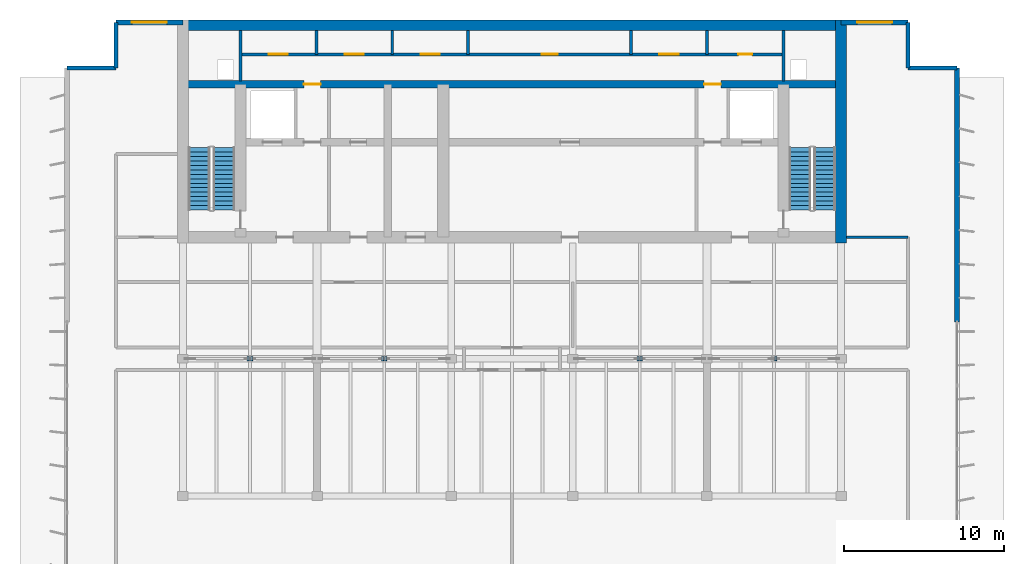
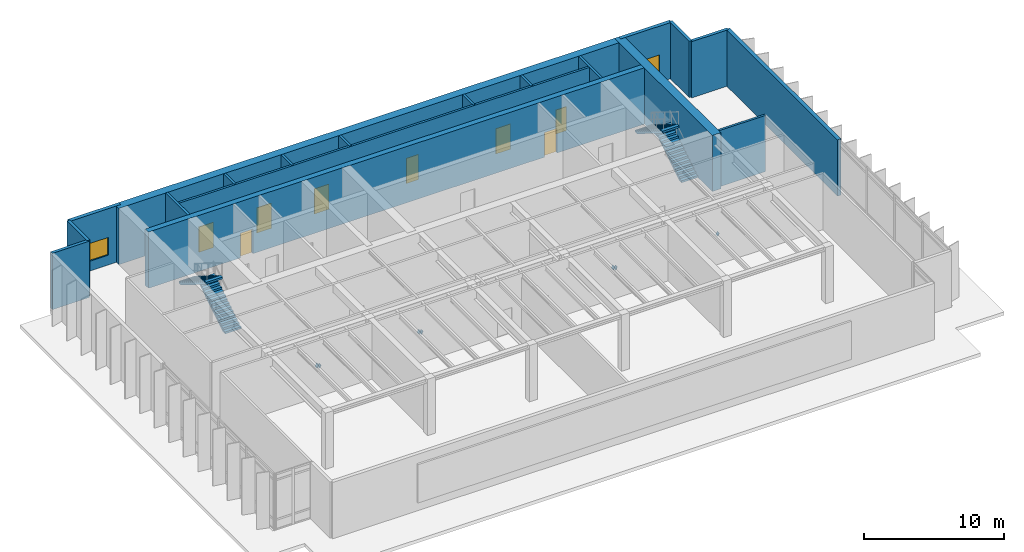
# One storey, part 7 of 12: 19 walls, 8 doors, 7 discrete accessories, 4 stair flights, 2 windows, 10 openings, 2 elements without a shape of their own.
"""IFC4 building model written with IfcOpenShell, lengths in metres."""

from ifc_helpers import new_model, si_unit, direction, frame, frame_2d, origin, place, context, subcontext, project, spatial, polyline, rectangle, outline, extrude, material, layer, layer_set, type_object, element, fill, aggregate, save


model = new_model("IFC4")

# Units and contexts
model_context = context("Model", 3, precision=1e-05, world=origin(), true_north=direction((0.0, 1.0)))
body_context = subcontext(model_context, "Body", "Model", "MODEL_VIEW")
ifc_project = project(units=[si_unit("LENGTHUNIT", "METRE"), si_unit("AREAUNIT", "SQUARE_METRE"), si_unit("VOLUMEUNIT", "CUBIC_METRE"), si_unit("PLANEANGLEUNIT", "RADIAN"), si_unit("MASSUNIT", "GRAM", prefix="KILO")], contexts=[model_context])

# Site, building, storey
site_placement = place(None, origin())
site = spatial("IfcSite", under=ifc_project, at=site_placement, CompositionType="ELEMENT")
building_placement = place(site_placement, origin())
building = spatial("IfcBuilding", under=site, at=building_placement, Name="Caelmar Bay Residences", CompositionType="ELEMENT")
storey_placement = place(building_placement, frame((0.0, 0.0, 274.199951171875)))
storey = spatial("IfcBuildingStorey", under=building, at=storey_placement, Name="L77", CompositionType="ELEMENT", Elevation=274.199951171875)

# Walls
ifc_material_1 = material(Name="Concrete f'c 55 MPa (8,000 psi)", Category="concrete")
ifc_layer_1 = layer(ifc_material_1, 0.699951171875)
ifc_layer_set_1 = layer_set([ifc_layer_1], Name="Concrete f'c 55 MPa (8,000 psi)")
wall_type_1 = type_object("IfcWallType", Name="SW-COR-700", PredefinedType="SHEAR", material=ifc_layer_set_1)
wall_1_placement = place(storey_placement, frame((59.5, 36.64990234375, 0.0), z_axis=(0.0, 0.0, 1.0), x_axis=(0.0, 1.0, 0.0)))
element("IfcWall", 1, at=wall_1_placement, inside=storey, type_object=wall_type_1, Name="L77 Rear Core East Shear Wall", PredefinedType="SHEAR", context=body_context, shape_type="SweptSolid", body=[
    extrude(rectangle(XDim=13.9501953125, YDim=0.699951171875, at=frame_2d((6.97509765625, 0.0))), origin(), (0.0, 0.0, 1.0), 4.900146484375),
])
ifc_layer_2 = layer(ifc_material_1, 0.64990234375)
ifc_layer_set_2 = layer_set([ifc_layer_2], Name="Concrete f'c 55 MPa (8,000 psi)")
wall_type_2 = type_object("IfcWallType", Name="SW-CORN-650", PredefinedType="SHEAR", material=ifc_layer_set_2)
wall_2_placement = place(storey_placement, frame((17.949951171875, 50.27490234375, 0.0), z_axis=(0.0, 0.0, 1.0), x_axis=(1.0, 0.0, 0.0)))
element("IfcWall", 2, at=wall_2_placement, inside=storey, type_object=wall_type_2, Name="L77 Rear Core North Shear Wall", PredefinedType="SHEAR", context=body_context, shape_type="SweptSolid", body=[
    extrude(rectangle(XDim=41.900146484375, YDim=0.64990234375, at=frame_2d((20.9501953125, 0.0))), origin(), (0.0, 0.0, 1.0), 4.900146484375),
])

# Wall, openings, doors
ifc_material_2 = material(Name="Concrete f'c 70 MPa (10,000 psi)", Category="concrete")
ifc_layer_3 = layer(ifc_material_2, 0.449951171875)
ifc_layer_set_3 = layer_set([ifc_layer_3], Name="Concrete f'c 70 MPa (10,000 psi)")
wall_type_3 = type_object("IfcWallType", Name="SW-WEB-450", PredefinedType="SHEAR", material=ifc_layer_set_3)
wall_3_placement = place(storey_placement, frame((18.300048828125, 46.574951171875, 0.0), z_axis=(0.0, 0.0, 1.0), x_axis=(1.0, 0.0, 0.0)))
wall_3 = element("IfcWall", 3, at=wall_3_placement, inside=storey, type_object=wall_type_3, Name="L77 Core Structural Web Wall SRVS", PredefinedType="SHEAR", context=body_context, shape_type="SweptSolid", body=[
    extrude(rectangle(XDim=41.199951171875, YDim=0.449951171875, at=frame_2d((20.60009765625, 0.0))), origin(), (0.0, 0.0, 1.0), 4.900146484375),
])
opening_1_placement = place(wall_3_placement, frame((7.574951171875, 0.0, 0.0)))
opening_1 = element("IfcOpeningElement", 4, at=opening_1_placement, cuts=wall_3, Name="Opening D-L77-114", PredefinedType="OPENING", context=body_context, shape_type="SweptSolid", body=[
    extrude(rectangle(XDim=1.050048828125, YDim=2.14990234375, at=frame_2d((0.52490234375, 1.074951171875))), frame((0.0, 0.23486328125, 0.0), z_axis=(0.0, -1.0, 0.0), x_axis=(1.0, 0.0, 0.0)), (0.0, 0.0, 1.0), 0.469970703125),
])
opening_2_placement = place(wall_3_placement, frame((32.625, 0.0, 0.0)))
opening_2 = element("IfcOpeningElement", 5, at=opening_2_placement, cuts=wall_3, Name="Opening D-L77-115", PredefinedType="OPENING", context=body_context, shape_type="SweptSolid", body=[
    extrude(rectangle(XDim=1.050048828125, YDim=2.14990234375, at=frame_2d((0.52490234375, 1.074951171875))), frame((0.0, 0.23486328125, 0.0), z_axis=(0.0, -1.0, 0.0), x_axis=(1.0, 0.0, 0.0)), (0.0, 0.0, 1.0), 0.469970703125),
])
ifc_material_3 = material(Name="Fire-rated steel and walnut architectural door assembly", Category="steel")
ifc_layer_4 = layer(ifc_material_3, 0.050048828125)
ifc_layer_set_4 = layer_set([ifc_layer_4], Name="Fire-rated steel and walnut architectural door assembly")
door_type_1 = type_object("IfcDoorType", Name="D-FSAE-1050", OperationType="NOTDEFINED", PredefinedType="DOOR", material=ifc_layer_set_4)
door_1_placement = place(opening_1_placement, origin())
door_1 = element("IfcDoor", 6, at=door_1_placement, inside=storey, type_object=door_type_1, Name="L77 Core Service Corridor Door", OperationType="SINGLE_SWING_LEFT", OverallHeight=2.14990234375, OverallWidth=1.050048828125, PredefinedType="DOOR", context=body_context, shape_type="SweptSolid", body=[
    extrude(rectangle(XDim=1.050048828125, YDim=2.14990234375, at=frame_2d((0.52490234375, 1.074951171875))), frame((0.0, 0.02490234375, 0.0), z_axis=(0.0, -1.0, 0.0), x_axis=(1.0, 0.0, 0.0)), (0.0, 0.0, 1.0), 0.050048828125),
])
fill(opening_1, door_1)
door_2_placement = place(opening_2_placement, origin())
door_2 = element("IfcDoor", 7, at=door_2_placement, inside=storey, type_object=door_type_1, Name="L77 Core Service Corridor Door", OperationType="SINGLE_SWING_RIGHT", OverallHeight=2.14990234375, OverallWidth=1.050048828125, PredefinedType="DOOR", context=body_context, shape_type="SweptSolid", body=[
    extrude(rectangle(XDim=1.050048828125, YDim=2.14990234375, at=frame_2d((0.52490234375, 1.074951171875))), frame((0.0, 0.02490234375, 0.0), z_axis=(0.0, -1.0, 0.0), x_axis=(1.0, 0.0, 0.0)), (0.0, 0.0, 1.0), 0.050048828125),
])
fill(opening_2, door_2)

# Walls
ifc_material_4 = material(Name="Double-stud acoustic fire-rated gypsum partition 180 mm")
ifc_layer_5 = layer(ifc_material_4, 0.179931640625)
ifc_layer_set_5 = layer_set([ifc_layer_5], Name="Double-stud acoustic fire-rated gypsum partition 180 mm")
wall_type_4 = type_object("IfcWallType", Name="W-COR-200", PredefinedType="PARTITIONING", material=ifc_layer_set_5)
for number, where, z_axis, x_axis, name in (
    (8, (26.64990234375, 48.449951171875, 0.0), (0.0, 0.0, 1.0), (0.0, 1.0, 0.0), "L77 Partition Wall V005"),
    (9, (31.39990234375, 48.449951171875, 0.0), (0.0, 0.0, 1.0), (0.0, 1.0, 0.0), "L77 Partition Wall V008"),
    (10, (36.14990234375, 48.449951171875, 0.0), (0.0, 0.0, 1.0), (0.0, 1.0, 0.0), "L77 Partition Wall V010"),
    (11, (46.35009765625, 48.449951171875, 0.0), (0.0, 0.0, 1.0), (0.0, 1.0, 0.0), "L77 Partition Wall V014"),
    (12, (51.10009765625, 48.449951171875, 0.0), (0.0, 0.0, 1.0), (0.0, 1.0, 0.0), "L77 Partition Wall V017"),
):
    element("IfcWall", number, at=place(storey_placement, frame(where, z_axis=z_axis, x_axis=x_axis)), inside=storey, type_object=wall_type_4, Name=name, PredefinedType="PARTITIONING", context=body_context, shape_type="SweptSolid", body=[
        extrude(rectangle(XDim=1.505126953125, YDim=0.179931640625, at=frame_2d((0.75244140625, 0.0))), origin(), (0.0, 0.0, 1.0), 4.900146484375),
    ])
wall_4_placement = place(storey_placement, frame((59.85498046875, 37.0, 0.0), z_axis=(0.0, 0.0, 1.0), x_axis=(1.0, 0.0, 0.0)))
element("IfcWall", 13, at=wall_4_placement, inside=storey, type_object=wall_type_4, Name="L77 Partition Wall H028", PredefinedType="PARTITIONING", context=body_context, shape_type="SweptSolid", body=[
    extrude(rectangle(XDim=3.844970703125, YDim=0.179931640625, at=frame_2d((1.92236328125, 0.0))), origin(), (0.0, 0.0, 1.0), 4.900146484375),
])

# Wall, openings, doors
wall_5_placement = place(storey_placement, frame((21.89990234375, 48.449951171875, 0.0), z_axis=(0.0, 0.0, 1.0), x_axis=(1.0, 0.0, 0.0)))
wall_5 = element("IfcWall", 14, at=wall_5_placement, inside=storey, type_object=wall_type_4, Name="L77 Partition Wall H030", PredefinedType="PARTITIONING", context=body_context, shape_type="SweptSolid", body=[
    extrude(rectangle(XDim=34.0, YDim=0.179931640625, at=frame_2d((17.0, 0.0))), origin(), (0.0, 0.0, 1.0), 4.900146484375),
])
opening_3_placement = place(wall_5_placement, frame((1.77490234375, 0.0, 0.0)))
opening_3 = element("IfcOpeningElement", 15, at=opening_3_placement, cuts=wall_5, Name="Opening D-L77-116", PredefinedType="OPENING", context=body_context, shape_type="SweptSolid", body=[
    extrude(rectangle(XDim=1.199951171875, YDim=2.199951171875, at=frame_2d((0.60009765625, 1.10009765625))), frame((0.0, 0.099853515625, 0.0), z_axis=(0.0, -1.0, 0.0), x_axis=(1.0, 0.0, 0.0)), (0.0, 0.0, 1.0), 0.199951171875),
])
opening_4_placement = place(wall_5_placement, frame((6.52490234375, 0.0, 0.0)))
opening_4 = element("IfcOpeningElement", 16, at=opening_4_placement, cuts=wall_5, Name="Opening D-L77-117", PredefinedType="OPENING", context=body_context, shape_type="SweptSolid", body=[
    extrude(rectangle(XDim=1.199951171875, YDim=2.199951171875, at=frame_2d((0.60009765625, 1.10009765625))), frame((0.0, 0.099853515625, 0.0), z_axis=(0.0, -1.0, 0.0), x_axis=(1.0, 0.0, 0.0)), (0.0, 0.0, 1.0), 0.199951171875),
])
opening_5_placement = place(wall_5_placement, frame((11.27490234375, 0.0, 0.0)))
opening_5 = element("IfcOpeningElement", 17, at=opening_5_placement, cuts=wall_5, Name="Opening D-L77-118", PredefinedType="OPENING", context=body_context, shape_type="SweptSolid", body=[
    extrude(rectangle(XDim=1.199951171875, YDim=2.199951171875, at=frame_2d((0.60009765625, 1.10009765625))), frame((0.0, 0.099853515625, 0.0), z_axis=(0.0, -1.0, 0.0), x_axis=(1.0, 0.0, 0.0)), (0.0, 0.0, 1.0), 0.199951171875),
])
opening_6_placement = place(wall_5_placement, frame((18.85009765625, 0.0, 0.0)))
opening_6 = element("IfcOpeningElement", 18, at=opening_6_placement, cuts=wall_5, Name="Opening D-L77-119", PredefinedType="OPENING", context=body_context, shape_type="SweptSolid", body=[
    extrude(rectangle(XDim=1.0, YDim=2.199951171875, at=frame_2d((0.5, 1.10009765625))), frame((0.0, 0.099853515625, 0.0), z_axis=(0.0, -1.0, 0.0), x_axis=(1.0, 0.0, 0.0)), (0.0, 0.0, 1.0), 0.199951171875),
])
opening_7_placement = place(wall_5_placement, frame((26.22509765625, 0.0, 0.0)))
opening_7 = element("IfcOpeningElement", 19, at=opening_7_placement, cuts=wall_5, Name="Opening D-L77-120", PredefinedType="OPENING", context=body_context, shape_type="SweptSolid", body=[
    extrude(rectangle(XDim=1.199951171875, YDim=2.199951171875, at=frame_2d((0.60009765625, 1.10009765625))), frame((0.0, 0.099853515625, 0.0), z_axis=(0.0, -1.0, 0.0), x_axis=(1.0, 0.0, 0.0)), (0.0, 0.0, 1.0), 0.199951171875),
])
opening_8_placement = place(wall_5_placement, frame((31.175048828125, 0.0, 0.0)))
opening_8 = element("IfcOpeningElement", 20, at=opening_8_placement, cuts=wall_5, Name="Opening D-L77-121", PredefinedType="OPENING", context=body_context, shape_type="SweptSolid", body=[
    extrude(rectangle(XDim=0.85009765625, YDim=2.10009765625, at=frame_2d((0.425048828125, 1.050048828125))), frame((0.0, 0.099853515625, 0.0), z_axis=(0.0, -1.0, 0.0), x_axis=(1.0, 0.0, 0.0)), (0.0, 0.0, 1.0), 0.199951171875),
])
ifc_layer_6 = layer(ifc_material_3, 0.050048828125)
ifc_layer_set_6 = layer_set([ifc_layer_6], Name="Fire-rated steel and walnut architectural door assembly")
door_type_2 = type_object("IfcDoorType", Name="D-CORE-850", OperationType="NOTDEFINED", PredefinedType="DOOR", material=ifc_layer_set_6)
door_3_placement = place(opening_8_placement, origin())
door_3 = element("IfcDoor", 21, at=door_3_placement, inside=storey, type_object=door_type_2, Name="L77 Staff Restroom Door", OperationType="SINGLE_SWING_RIGHT", OverallHeight=2.10009765625, OverallWidth=0.85009765625, PredefinedType="DOOR", context=body_context, shape_type="SweptSolid", body=[
    extrude(rectangle(XDim=0.85009765625, YDim=2.10009765625, at=frame_2d((0.425048828125, 1.050048828125))), frame((0.0, 0.02490234375, 0.0), z_axis=(0.0, -1.0, 0.0), x_axis=(1.0, 0.0, 0.0)), (0.0, 0.0, 1.0), 0.050048828125),
])
fill(opening_8, door_3)
ifc_layer_7 = layer(ifc_material_3, 0.050048828125)
ifc_layer_set_7 = layer_set([ifc_layer_7], Name="Fire-rated steel and walnut architectural door assembly")
door_type_3 = type_object("IfcDoorType", Name="D-PLANT-1200", OperationType="NOTDEFINED", PredefinedType="DOOR", material=ifc_layer_set_7)
door_4_placement = place(opening_3_placement, origin())
door_4 = element("IfcDoor", 22, at=door_4_placement, inside=storey, type_object=door_type_3, Name="L77 Branch Panel Closet Door", OperationType="SINGLE_SWING_LEFT", OverallHeight=2.199951171875, OverallWidth=1.199951171875, PredefinedType="DOOR", context=body_context, shape_type="SweptSolid", body=[
    extrude(rectangle(XDim=1.199951171875, YDim=2.199951171875, at=frame_2d((0.60009765625, 1.10009765625))), frame((0.0, 0.02490234375, 0.0), z_axis=(0.0, -1.0, 0.0), x_axis=(1.0, 0.0, 0.0)), (0.0, 0.0, 1.0), 0.050048828125),
])
fill(opening_3, door_4)
door_5_placement = place(opening_4_placement, origin())
door_5 = element("IfcDoor", 23, at=door_5_placement, inside=storey, type_object=door_type_3, Name="L77 Water Meter Closet Door", OperationType="SINGLE_SWING_RIGHT", OverallHeight=2.199951171875, OverallWidth=1.199951171875, PredefinedType="DOOR", context=body_context, shape_type="SweptSolid", body=[
    extrude(rectangle(XDim=1.199951171875, YDim=2.199951171875, at=frame_2d((0.60009765625, 1.10009765625))), frame((0.0, 0.02490234375, 0.0), z_axis=(0.0, -1.0, 0.0), x_axis=(1.0, 0.0, 0.0)), (0.0, 0.0, 1.0), 0.050048828125),
])
fill(opening_4, door_5)
door_6_placement = place(opening_5_placement, origin())
door_6 = element("IfcDoor", 24, at=door_6_placement, inside=storey, type_object=door_type_3, Name="L77 Low-Voltage Data Closet Door", OperationType="SINGLE_SWING_LEFT", OverallHeight=2.199951171875, OverallWidth=1.199951171875, PredefinedType="DOOR", context=body_context, shape_type="SweptSolid", body=[
    extrude(rectangle(XDim=1.199951171875, YDim=2.199951171875, at=frame_2d((0.60009765625, 1.10009765625))), frame((0.0, 0.02490234375, 0.0), z_axis=(0.0, -1.0, 0.0), x_axis=(1.0, 0.0, 0.0)), (0.0, 0.0, 1.0), 0.050048828125),
])
fill(opening_5, door_6)
door_7_placement = place(opening_7_placement, origin())
door_7 = element("IfcDoor", 25, at=door_7_placement, inside=storey, type_object=door_type_3, Name="L77 Valet Trunk Closet Door", OperationType="SINGLE_SWING_LEFT", OverallHeight=2.199951171875, OverallWidth=1.199951171875, PredefinedType="DOOR", context=body_context, shape_type="SweptSolid", body=[
    extrude(rectangle(XDim=1.199951171875, YDim=2.199951171875, at=frame_2d((0.60009765625, 1.10009765625))), frame((0.0, 0.02490234375, 0.0), z_axis=(0.0, -1.0, 0.0), x_axis=(1.0, 0.0, 0.0)), (0.0, 0.0, 1.0), 0.050048828125),
])
fill(opening_7, door_7)
ifc_layer_8 = layer(ifc_material_3, 0.050048828125)
ifc_layer_set_8 = layer_set([ifc_layer_8], Name="Fire-rated steel and walnut architectural door assembly")
door_type_4 = type_object("IfcDoorType", Name="D-UNIT-1000", OperationType="NOTDEFINED", PredefinedType="DOOR", material=ifc_layer_set_8)
door_8_placement = place(opening_6_placement, origin())
door_8 = element("IfcDoor", 26, at=door_8_placement, inside=storey, type_object=door_type_4, Name="L77 Mail Sorting Office Door", OperationType="SINGLE_SWING_RIGHT", OverallHeight=2.199951171875, OverallWidth=1.0, PredefinedType="DOOR", context=body_context, shape_type="SweptSolid", body=[
    extrude(rectangle(XDim=1.0, YDim=2.199951171875, at=frame_2d((0.5, 1.10009765625))), frame((0.0, 0.02490234375, 0.0), z_axis=(0.0, -1.0, 0.0), x_axis=(1.0, 0.0, 0.0)), (0.0, 0.0, 1.0), 0.050048828125),
])
fill(opening_6, door_8)

# Walls
ifc_material_5 = material(Name="Precast concrete f'c 40 MPa (6,000 psi)", Category="concrete")
ifc_layer_9 = layer(ifc_material_5, 0.25)
ifc_layer_set_9 = layer_set([ifc_layer_9], Name="Precast concrete f'c 40 MPa (6,000 psi)")
wall_type_5 = type_object("IfcWallType", Name="W-EXT-250", PredefinedType="ELEMENTEDWALL", material=ifc_layer_set_9)
wall_6_placement = place(storey_placement, frame((11.050048828125, 47.60009765625, 0.0), z_axis=(0.0, 0.0, 1.0), x_axis=(1.0, 0.0, 0.0)))
element("IfcWall", 27, at=wall_6_placement, inside=storey, type_object=wall_type_5, Name="L77 NNW-H Notch Wall", PredefinedType="ELEMENTEDWALL", context=body_context, shape_type="SweptSolid", body=[
    extrude(rectangle(XDim=3.050048828125, YDim=0.25, at=frame_2d((1.52490234375, 0.0))), origin(), (0.0, 0.0, 1.0), 4.900146484375),
])
for number, where, z_axis, x_axis, name in (
    (28, (14.10009765625, 47.60009765625, 0.0), (0.0, 0.0, 1.0), (0.0, 1.0, 0.0), "L77 NNW-V Notch Wall"),
    (29, (63.699951171875, 50.449951171875, 0.0), (0.0, 0.0, 1.0), (0.0, -1.0, 0.0), "L77 NNE-V Notch Wall"),
):
    element("IfcWall", number, at=place(storey_placement, frame(where, z_axis=z_axis, x_axis=x_axis)), inside=storey, type_object=wall_type_5, Name=name, PredefinedType="ELEMENTEDWALL", context=body_context, shape_type="SweptSolid", body=[
        extrude(rectangle(XDim=2.849853515625, YDim=0.25, at=frame_2d((1.4248046875, 0.0))), origin(), (0.0, 0.0, 1.0), 4.900146484375),
    ])
wall_7_placement = place(storey_placement, frame((63.699951171875, 47.60009765625, 0.0), z_axis=(0.0, 0.0, 1.0), x_axis=(1.0, 0.0, 0.0)))
element("IfcWall", 30, at=wall_7_placement, inside=storey, type_object=wall_type_5, Name="L77 NNE-H Notch Wall", PredefinedType="ELEMENTEDWALL", context=body_context, shape_type="SweptSolid", body=[
    extrude(rectangle(XDim=3.050048828125, YDim=0.25, at=frame_2d((1.52490234375, 0.0))), origin(), (0.0, 0.0, 1.0), 4.900146484375),
])
ifc_layer_10 = layer(ifc_material_5, 0.300048828125)
ifc_layer_set_10 = layer_set([ifc_layer_10], Name="Precast concrete f'c 40 MPa (6,000 psi)")
wall_type_6 = type_object("IfcWallType", Name="W-EXT-300", PredefinedType="STANDARD", material=ifc_layer_set_10)
wall_8_placement = place(storey_placement, frame((66.75, 47.60009765625, 0.0), z_axis=(0.0, 0.0, 1.0), x_axis=(0.0, -1.0, 0.0)))
element("IfcWall", 31, at=wall_8_placement, inside=storey, type_object=wall_type_6, Name="L77 East Rear Exterior Wall", PredefinedType="STANDARD", context=body_context, shape_type="SweptSolid", body=[
    extrude(rectangle(XDim=15.900146484375, YDim=0.300048828125, at=frame_2d((7.9501953125, 0.0))), origin(), (0.0, 0.0, 1.0), 4.900146484375),
])

# Wall, opening, window
wall_9_placement = place(storey_placement, frame((14.10009765625, 50.449951171875, 0.0), z_axis=(0.0, 0.0, 1.0), x_axis=(1.0, 0.0, 0.0)))
wall_9 = element("IfcWall", 32, at=wall_9_placement, inside=storey, type_object=wall_type_6, Name="L77 North-West Wing Exterior Wall", PredefinedType="STANDARD", context=body_context, shape_type="SweptSolid", body=[
    extrude(rectangle(XDim=4.199951171875, YDim=0.300048828125, at=frame_2d((2.10009765625, 0.0))), origin(), (0.0, 0.0, 1.0), 4.900146484375),
])
opening_9_placement = place(wall_9_placement, frame((1.0, 0.0, 0.85009765625)))
opening_9 = element("IfcOpeningElement", 33, at=opening_9_placement, cuts=wall_9, Name="Opening WN2", PredefinedType="OPENING", context=body_context, shape_type="SweptSolid", body=[
    extrude(rectangle(XDim=2.199951171875, YDim=1.550048828125, at=frame_2d((1.10009765625, 0.77490234375))), frame((0.0, 0.159912109375, 0.0), z_axis=(0.0, -1.0, 0.0), x_axis=(1.0, 0.0, 0.0)), (0.0, 0.0, 1.0), 0.320068359375),
])
ifc_material_6 = material(Name="Bronze aluminium frame with laminated low-E glass", Category="aluminium")
ifc_layer_11 = layer(ifc_material_6, 0.06005859375)
ifc_layer_set_11 = layer_set([ifc_layer_11], Name="Bronze aluminium frame with laminated low-E glass")
window_type = type_object("IfcWindowType", Name="WIN-BR-2200", PartitioningType="SINGLE_PANEL", PredefinedType="WINDOW", material=ifc_layer_set_11)
window_1_placement = place(opening_9_placement, origin())
window_1 = element("IfcWindow", 34, at=window_1_placement, inside=storey, type_object=window_type, Name="L77 North-West Studio Window", OverallHeight=1.550048828125, OverallWidth=2.199951171875, PartitioningType="SINGLE_PANEL", PredefinedType="WINDOW", context=body_context, shape_type="SweptSolid", body=[
    extrude(rectangle(XDim=2.199951171875, YDim=1.550048828125, at=frame_2d((1.10009765625, 0.77490234375))), frame((0.0, 0.030029296875, 0.0), z_axis=(0.0, -1.0, 0.0), x_axis=(1.0, 0.0, 0.0)), (0.0, 0.0, 1.0), 0.06005859375),
])
fill(opening_9, window_1)

wall_10_placement = place(storey_placement, frame((59.5, 50.449951171875, 0.0), z_axis=(0.0, 0.0, 1.0), x_axis=(1.0, 0.0, 0.0)))
wall_10 = element("IfcWall", 35, at=wall_10_placement, inside=storey, type_object=wall_type_6, Name="L77 North-East Wing Exterior Wall", PredefinedType="STANDARD", context=body_context, shape_type="SweptSolid", body=[
    extrude(rectangle(XDim=4.199951171875, YDim=0.300048828125, at=frame_2d((2.10009765625, 0.0))), origin(), (0.0, 0.0, 1.0), 4.900146484375),
])
opening_10_placement = place(wall_10_placement, frame((1.0, 0.0, 0.85009765625)))
opening_10 = element("IfcOpeningElement", 36, at=opening_10_placement, cuts=wall_10, Name="Opening WN2", PredefinedType="OPENING", context=body_context, shape_type="SweptSolid", body=[
    extrude(rectangle(XDim=2.199951171875, YDim=1.550048828125, at=frame_2d((1.10009765625, 0.77490234375))), frame((0.0, 0.159912109375, 0.0), z_axis=(0.0, -1.0, 0.0), x_axis=(1.0, 0.0, 0.0)), (0.0, 0.0, 1.0), 0.320068359375),
])
window_2_placement = place(opening_10_placement, origin())
window_2 = element("IfcWindow", 37, at=window_2_placement, inside=storey, type_object=window_type, Name="L77 North-East Studio Window", OverallHeight=1.550048828125, OverallWidth=2.199951171875, PartitioningType="SINGLE_PANEL", PredefinedType="WINDOW", context=body_context, shape_type="SweptSolid", body=[
    extrude(rectangle(XDim=2.199951171875, YDim=1.550048828125, at=frame_2d((1.10009765625, 0.77490234375))), frame((0.0, 0.030029296875, 0.0), z_axis=(0.0, -1.0, 0.0), x_axis=(1.0, 0.0, 0.0)), (0.0, 0.0, 1.0), 0.06005859375),
])
fill(opening_10, window_2)

# Walls
ifc_material_7 = material(Name="Fire-rated masonry and gypsum shaftliner assembly 200 mm", Category="masonry")
ifc_layer_12 = layer(ifc_material_7, 0.199951171875)
ifc_layer_set_12 = layer_set([ifc_layer_12], Name="Fire-rated masonry and gypsum shaftliner assembly 200 mm")
wall_type_7 = type_object("IfcWallType", Name="W-FSAE-200", PredefinedType="PARTITIONING", material=ifc_layer_set_12)
for number, where, z_axis, x_axis, name in (
    (38, (21.89990234375, 46.794921875, 0.0), (0.0, 0.0, 1.0), (0.0, 1.0, 0.0), "L77 Partition Wall V003"),
    (39, (55.89990234375, 46.794921875, 0.0), (0.0, 0.0, 1.0), (0.0, 1.0, 0.0), "L77 Partition Wall V019"),
):
    element("IfcWall", number, at=place(storey_placement, frame(where, z_axis=z_axis, x_axis=x_axis)), inside=storey, type_object=wall_type_7, Name=name, PredefinedType="PARTITIONING", context=body_context, shape_type="SweptSolid", body=[
        extrude(rectangle(XDim=3.16015625, YDim=0.199951171875, at=frame_2d((1.580078125, 0.0))), origin(), (0.0, 0.0, 1.0), 4.900146484375),
    ])

# Stair, stair flights
ifc_material_8 = material(Name="Concrete f'c 40 MPa (6,000 psi)", Category="concrete")
stair_type = type_object("IfcStairType", Name="ST-TAL-170", PredefinedType="HALF_TURN_STAIR", material=ifc_material_8)
stair_1_placement = place(storey_placement, origin())
stair_1 = element("IfcStair", 40, at=stair_1_placement, inside=storey, type_object=stair_type, Name="L77 West Smokeproof Exit Stair ST1", PredefinedType="HALF_TURN_STAIR")
stair_flight_type = type_object("IfcStairFlightType", Name="STF-1400", PredefinedType="STRAIGHT", material=ifc_material_5)
stair_flight_1_placement = place(storey_placement, frame((20.875, 38.699951171875, 0.0), z_axis=(0.0, 0.0, 1.0), x_axis=(0.0, 1.0, 0.0)))
stair_flight_1 = element("IfcStairFlight", 41, at=stair_flight_1_placement, type_object=stair_flight_type, Name="ST1 flight 1", NumberOfRisers=15, NumberOfTreads=14, PredefinedType="STRAIGHT", RiserHeight=0.173333333, TreadLength=0.28, context=body_context, shape_type="SweptSolid", body=[
    extrude(outline(polyline([(0.0, 0.0), (0.0, 0.17333984375), (0.280029296875, 0.17333984375), (0.280029296875, 0.3466796875), (0.56005859375, 0.3466796875), (0.56005859375, 0.52001953125), (0.840087890625, 0.52001953125), (0.840087890625, 0.693359375), (1.1201171875, 0.693359375), (1.1201171875, 0.86669921875), (1.39990234375, 0.86669921875), (1.39990234375, 1.0400390625), (1.679931640625, 1.0400390625), (1.679931640625, 1.21337890625), (1.9599609375, 1.21337890625), (1.9599609375, 1.38671875), (2.239990234375, 1.38671875), (2.239990234375, 1.56005859375), (2.52001953125, 1.56005859375), (2.52001953125, 1.7333984375), (2.800048828125, 1.7333984375), (2.800048828125, 1.90673828125), (3.080078125, 1.90673828125), (3.080078125, 2.080078125), (3.360107421875, 2.080078125), (3.360107421875, 2.25341796875), (3.639892578125, 2.25341796875), (3.639892578125, 2.4267578125), (3.919921875, 2.4267578125), (3.919921875, 2.60009765625), (3.919921875, 2.250244140625), (0.284912109375, 0.0), (0.0, 0.0)])), frame((0.0, 0.675048828125, 0.0), z_axis=(0.0, -1.0, 0.0), x_axis=(1.0, 0.0, 0.0)), (0.0, 0.0, 1.0), 1.35009765625),
])
stair_flight_2_placement = place(storey_placement, frame((19.324951171875, 42.6201171875, 2.60009765625), z_axis=(0.0, 0.0, 1.0), x_axis=(0.0, -1.0, 0.0)))
stair_flight_2 = element("IfcStairFlight", 42, at=stair_flight_2_placement, type_object=stair_flight_type, Name="ST1 flight 2", NumberOfRisers=15, NumberOfTreads=14, PredefinedType="STRAIGHT", RiserHeight=0.173333333, TreadLength=0.28, context=body_context, shape_type="SweptSolid", body=[
    extrude(outline(polyline([(0.0, 0.0), (0.0, 0.17333984375), (0.280029296875, 0.17333984375), (0.280029296875, 0.3466796875), (0.56005859375, 0.3466796875), (0.56005859375, 0.52001953125), (0.840087890625, 0.52001953125), (0.840087890625, 0.693359375), (1.1201171875, 0.693359375), (1.1201171875, 0.86669921875), (1.39990234375, 0.86669921875), (1.39990234375, 1.0400390625), (1.679931640625, 1.0400390625), (1.679931640625, 1.21337890625), (1.9599609375, 1.21337890625), (1.9599609375, 1.38671875), (2.239990234375, 1.38671875), (2.239990234375, 1.56005859375), (2.52001953125, 1.56005859375), (2.52001953125, 1.7333984375), (2.800048828125, 1.7333984375), (2.800048828125, 1.90673828125), (3.080078125, 1.90673828125), (3.080078125, 2.080078125), (3.360107421875, 2.080078125), (3.360107421875, 2.25341796875), (3.639892578125, 2.25341796875), (3.639892578125, 2.4267578125), (3.919921875, 2.4267578125), (3.919921875, 2.60009765625), (3.919921875, 2.250244140625), (0.284912109375, 0.0), (0.0, 0.0)])), frame((0.0, 0.675048828125, 0.0), z_axis=(0.0, -1.0, 0.0), x_axis=(1.0, 0.0, 0.0)), (0.0, 0.0, 1.0), 1.35009765625),
])
aggregate(stair_1, [stair_flight_1, stair_flight_2])

stair_2_placement = place(storey_placement, origin())
stair_2 = element("IfcStair", 43, at=stair_2_placement, inside=storey, type_object=stair_type, Name="L77 East Smokeproof Exit Stair ST2", PredefinedType="HALF_TURN_STAIR")
stair_flight_3_placement = place(storey_placement, frame((58.47509765625, 38.699951171875, 0.0), z_axis=(0.0, 0.0, 1.0), x_axis=(0.0, 1.0, 0.0)))
stair_flight_3 = element("IfcStairFlight", 44, at=stair_flight_3_placement, type_object=stair_flight_type, Name="ST2 flight 1", NumberOfRisers=15, NumberOfTreads=14, PredefinedType="STRAIGHT", RiserHeight=0.173333333, TreadLength=0.28, context=body_context, shape_type="SweptSolid", body=[
    extrude(outline(polyline([(0.0, 0.0), (0.0, 0.17333984375), (0.280029296875, 0.17333984375), (0.280029296875, 0.3466796875), (0.56005859375, 0.3466796875), (0.56005859375, 0.52001953125), (0.840087890625, 0.52001953125), (0.840087890625, 0.693359375), (1.1201171875, 0.693359375), (1.1201171875, 0.86669921875), (1.39990234375, 0.86669921875), (1.39990234375, 1.0400390625), (1.679931640625, 1.0400390625), (1.679931640625, 1.21337890625), (1.9599609375, 1.21337890625), (1.9599609375, 1.38671875), (2.239990234375, 1.38671875), (2.239990234375, 1.56005859375), (2.52001953125, 1.56005859375), (2.52001953125, 1.7333984375), (2.800048828125, 1.7333984375), (2.800048828125, 1.90673828125), (3.080078125, 1.90673828125), (3.080078125, 2.080078125), (3.360107421875, 2.080078125), (3.360107421875, 2.25341796875), (3.639892578125, 2.25341796875), (3.639892578125, 2.4267578125), (3.919921875, 2.4267578125), (3.919921875, 2.60009765625), (3.919921875, 2.250244140625), (0.284912109375, 0.0), (0.0, 0.0)])), frame((0.0, 0.675048828125, 0.0), z_axis=(0.0, -1.0, 0.0), x_axis=(1.0, 0.0, 0.0)), (0.0, 0.0, 1.0), 1.35009765625),
])
stair_flight_4_placement = place(storey_placement, frame((56.925048828125, 42.6201171875, 2.60009765625), z_axis=(0.0, 0.0, 1.0), x_axis=(0.0, -1.0, 0.0)))
stair_flight_4 = element("IfcStairFlight", 45, at=stair_flight_4_placement, type_object=stair_flight_type, Name="ST2 flight 2", NumberOfRisers=15, NumberOfTreads=14, PredefinedType="STRAIGHT", RiserHeight=0.173333333, TreadLength=0.28, context=body_context, shape_type="SweptSolid", body=[
    extrude(outline(polyline([(0.0, 0.0), (0.0, 0.17333984375), (0.280029296875, 0.17333984375), (0.280029296875, 0.3466796875), (0.56005859375, 0.3466796875), (0.56005859375, 0.52001953125), (0.840087890625, 0.52001953125), (0.840087890625, 0.693359375), (1.1201171875, 0.693359375), (1.1201171875, 0.86669921875), (1.39990234375, 0.86669921875), (1.39990234375, 1.0400390625), (1.679931640625, 1.0400390625), (1.679931640625, 1.21337890625), (1.9599609375, 1.21337890625), (1.9599609375, 1.38671875), (2.239990234375, 1.38671875), (2.239990234375, 1.56005859375), (2.52001953125, 1.56005859375), (2.52001953125, 1.7333984375), (2.800048828125, 1.7333984375), (2.800048828125, 1.90673828125), (3.080078125, 1.90673828125), (3.080078125, 2.080078125), (3.360107421875, 2.080078125), (3.360107421875, 2.25341796875), (3.639892578125, 2.25341796875), (3.639892578125, 2.4267578125), (3.919921875, 2.4267578125), (3.919921875, 2.60009765625), (3.919921875, 2.250244140625), (0.284912109375, 0.0), (0.0, 0.0)])), frame((0.0, 0.675048828125, 0.0), z_axis=(0.0, -1.0, 0.0), x_axis=(1.0, 0.0, 0.0)), (0.0, 0.0, 1.0), 1.35009765625),
])
aggregate(stair_2, [stair_flight_3, stair_flight_4])

# Discrete accessories
ifc_material_9 = material(Name="Steel ASTM A572 Grade 50", Category="steel")
discrete_accessory_type = type_object("IfcDiscreteAccessoryType", Name="ACC-PRTCAP-45", PredefinedType="USERDEFINED", material=ifc_material_9)
discrete_accessory_1_placement = place(storey_placement, frame((22.518310546875, 29.260009765625, 1.920166015625), z_axis=(-0.898231372823, 0.0, 0.439522924177), x_axis=(0.0, 1.0, 0.0)))
element("IfcDiscreteAccessory", 46, at=discrete_accessory_1_placement, inside=storey, type_object=discrete_accessory_type, Name="L77 Hollow-Brace Sealed End-Cap Bracket PLT-CRNCAP-L77-01A", ObjectType="BRACKET", PredefinedType="USERDEFINED", context=body_context, shape_type="SweptSolid", body=[
    extrude(outline(polyline([(0.0, 0.0), (0.280029296875, 0.0), (0.280029296875, -0.2799555341290426), (0.0, -0.2799555341290426), (0.0, 0.0)])), origin(), (0.0, 0.0, -1.0), 0.044921875),
])
discrete_accessory_2_placement = place(storey_placement, frame((22.318115234375, 29.5400390625, 2.018310546875), z_axis=(-0.897717802452, 0.0, 0.440570933176), x_axis=(0.0, -1.0, 0.0)))
element("IfcDiscreteAccessory", 47, at=discrete_accessory_2_placement, inside=storey, type_object=discrete_accessory_type, Name="L77 Hollow-Brace Sealed End-Cap Bracket PLT-CRNCAP-L77-01B", ObjectType="BRACKET", PredefinedType="USERDEFINED", context=body_context, shape_type="SweptSolid", body=[
    extrude(outline(polyline([(0.0, 0.0), (0.280029296875, 0.0), (0.280029296875, 0.2798437353461095), (0.0, 0.2798437353461095), (0.0, 0.0)])), origin(), (0.0, 0.0, -1.0), 0.044921875),
])
discrete_accessory_3_placement = place(storey_placement, frame((30.918212890625, 29.260009765625, 1.920166015625), z_axis=(-0.897886942382, 0.0, 0.440226122236), x_axis=(0.0, 1.0, 0.0)))
element("IfcDiscreteAccessory", 48, at=discrete_accessory_3_placement, inside=storey, type_object=discrete_accessory_type, Name="L77 Hollow-Brace Sealed End-Cap Bracket PLT-CRNCAP-L77-02A", ObjectType="BRACKET", PredefinedType="USERDEFINED", context=body_context, shape_type="SweptSolid", body=[
    extrude(outline(polyline([(0.0, 0.0), (0.280029296875, 0.0), (0.280029296875, -0.2800629253865208), (0.0, -0.2800629253865208), (0.0, 0.0)])), origin(), (0.0, 0.0, -1.0), 0.044921875),
])
discrete_accessory_4_placement = place(storey_placement, frame((30.71826171875, 29.5400390625, 2.018310546875), z_axis=(-0.898062707987, 0.0, 0.43986744881), x_axis=(0.0, -1.0, 0.0)))
element("IfcDiscreteAccessory", 49, at=discrete_accessory_4_placement, inside=storey, type_object=discrete_accessory_type, Name="L77 Hollow-Brace Sealed End-Cap Bracket PLT-CRNCAP-L77-02B", ObjectType="BRACKET", PredefinedType="USERDEFINED", context=body_context, shape_type="SweptSolid", body=[
    extrude(outline(polyline([(0.0, 0.0), (0.280029296875, 0.0), (0.280029296875, 0.27973625994118995), (0.0, 0.27973625994118995), (0.0, 0.0)])), origin(), (0.0, 0.0, -1.0), 0.044921875),
])
discrete_accessory_5_placement = place(storey_placement, frame((46.918212890625, 29.260009765625, 1.920166015625), z_axis=(-0.897886942382, 0.0, 0.440226122236), x_axis=(0.0, 1.0, 0.0)))
element("IfcDiscreteAccessory", 50, at=discrete_accessory_5_placement, inside=storey, type_object=discrete_accessory_type, Name="L77 Hollow-Brace Sealed End-Cap Bracket PLT-CRNCAP-L77-03A", ObjectType="BRACKET", PredefinedType="USERDEFINED", context=body_context, shape_type="SweptSolid", body=[
    extrude(outline(polyline([(0.0, 0.0), (0.280029296875, 0.0), (0.280029296875, -0.2800629253865208), (0.0, -0.2800629253865208), (0.0, 0.0)])), origin(), (0.0, 0.0, -1.0), 0.044921875),
])
discrete_accessory_6_placement = place(storey_placement, frame((46.71826171875, 29.5400390625, 2.018310546875), z_axis=(-0.898062707987, 0.0, 0.43986744881), x_axis=(0.0, -1.0, 0.0)))
element("IfcDiscreteAccessory", 51, at=discrete_accessory_6_placement, inside=storey, type_object=discrete_accessory_type, Name="L77 Hollow-Brace Sealed End-Cap Bracket PLT-CRNCAP-L77-03B", ObjectType="BRACKET", PredefinedType="USERDEFINED", context=body_context, shape_type="SweptSolid", body=[
    extrude(outline(polyline([(0.0, 0.0), (0.280029296875, 0.0), (0.280029296875, 0.27973625994118995), (0.0, 0.27973625994118995), (0.0, 0.0)])), origin(), (0.0, 0.0, -1.0), 0.044921875),
])
discrete_accessory_7_placement = place(storey_placement, frame((55.318115234375, 29.260009765625, 1.920166015625), z_axis=(-0.897886942382, 0.0, 0.440226122236), x_axis=(0.0, 1.0, 0.0)))
element("IfcDiscreteAccessory", 52, at=discrete_accessory_7_placement, inside=storey, type_object=discrete_accessory_type, Name="L77 Hollow-Brace Sealed End-Cap Bracket PLT-CRNCAP-L77-04A", ObjectType="BRACKET", PredefinedType="USERDEFINED", context=body_context, shape_type="SweptSolid", body=[
    extrude(outline(polyline([(0.0, 0.0), (0.280029296875, 0.0), (0.280029296875, -0.2800629253865208), (0.0, -0.2800629253865208), (0.0, 0.0)])), origin(), (0.0, 0.0, -1.0), 0.044921875),
])

save(model, "model.ifc")
